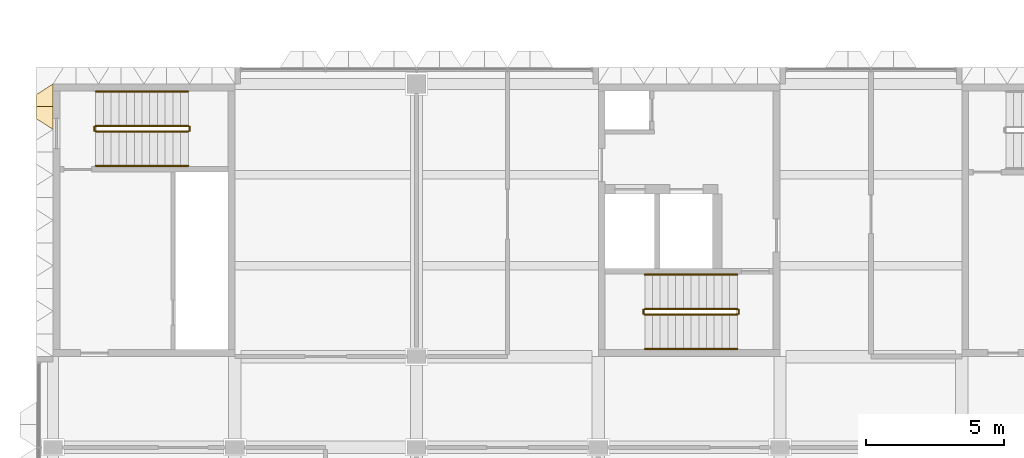
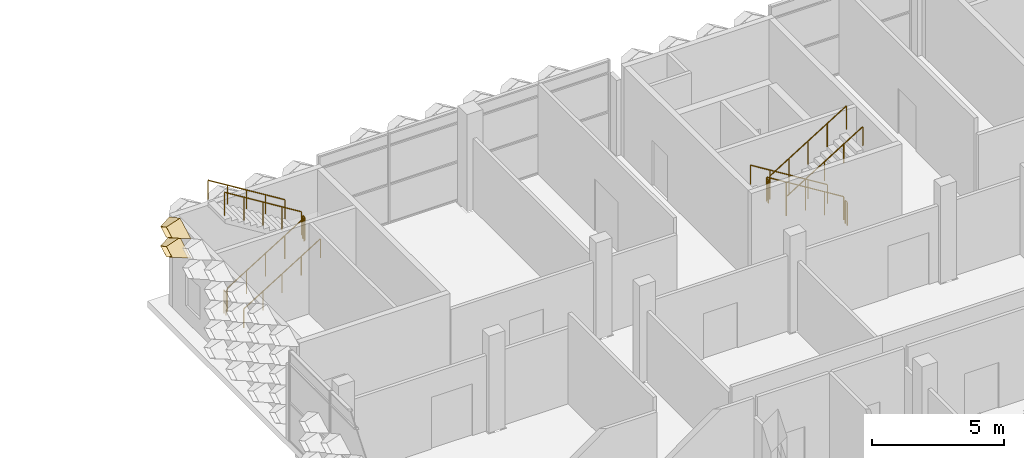
# One storey, part 66 of 109: 12 railings, 2 coverings.
"""IFC4 building model written with IfcOpenShell, lengths in metres."""

from ifc_helpers import new_model, entity, si_unit, direction, frame, origin, origin_2d, place, context, subcontext, project, spatial, circle, extrude, material, layer, layer_set, type_object, element, save


model = new_model("IFC4")

# Units and contexts
model_context = context("Model", 3, precision=1e-05, world=origin(), true_north=direction((0.0, 1.0)))
body_context = subcontext(model_context, "Body", "Model", "MODEL_VIEW")
ifc_project = project(units=[si_unit("LENGTHUNIT", "METRE"), si_unit("AREAUNIT", "SQUARE_METRE"), si_unit("VOLUMEUNIT", "CUBIC_METRE"), si_unit("PLANEANGLEUNIT", "RADIAN"), si_unit("MASSUNIT", "GRAM", prefix="KILO")], contexts=[model_context])

# Site, building, storey
site_placement = place(None, origin())
site = spatial("IfcSite", under=ifc_project, at=site_placement, CompositionType="ELEMENT")
building_placement = place(site_placement, origin())
building = spatial("IfcBuilding", under=site, at=building_placement, Name="Lantern Court Research Institute", CompositionType="ELEMENT")
storey_placement = place(building_placement, frame((0.0, 0.0, 14.39990234375)))
storey = spatial("IfcBuildingStorey", under=building, at=storey_placement, Name="L03", CompositionType="ELEMENT", Elevation=14.39990234375)

# Coverings
ifc_material_1 = material(Name="Anodised aluminium", Category="aluminium")
ifc_layer = layer(ifc_material_1, 0.01611328125)
ifc_layer_set = layer_set([ifc_layer], Name="Anodised aluminium")
covering_type = type_object("IfcCoveringType", Name="Fin cassette 1650 x 900 x 600 aluminium", PredefinedType="CLADDING", material=ifc_layer_set)
covering_1_placement = place(storey_placement, frame((0.0, 22.27490234375, 3.150146484375), z_axis=(-1.0, 0.0, 0.0), x_axis=(0.0, -1.0, 0.0)))
cartesian_point_1 = entity("IfcCartesianPoint", [0.824951171875, 0.0])
cartesian_point_2 = entity("IfcCartesianPoint", [0.79150390625, 0.0])
cartesian_point_3 = entity("IfcCartesianPoint", [0.44189453125, 0.0])
cartesian_point_4 = entity("IfcCartesianPoint", [0.43359375, 0.0])
element("IfcCovering", 1, at=covering_1_placement, inside=storey, type_object=covering_type, Name="Fin cassette V4W-L03 4.14", PredefinedType="CLADDING", context=body_context, shape_type="SweptSolid", body=[
    entity("IfcExtrudedAreaSolidTapered", entity("IfcArbitraryProfileDefWithVoids", "AREA", None, entity("IfcPolyline", [cartesian_point_1, entity("IfcCartesianPoint", [0.0, 0.449951171875]), entity("IfcCartesianPoint", [-0.824951171875, 0.0]), entity("IfcCartesianPoint", [0.0, -0.449951171875]), cartesian_point_1]), [entity("IfcPolyline", [cartesian_point_2, entity("IfcCartesianPoint", [0.0, 0.431884765625]), entity("IfcCartesianPoint", [-0.79150390625, 0.0]), entity("IfcCartesianPoint", [0.0, -0.431884765625]), cartesian_point_2])]), entity("IfcAxis2Placement3D", entity("IfcCartesianPoint", [0.0, 0.0, 0.0])), entity("IfcDirection", [0.0, 0.0, 1.0]), 0.60009765625, entity("IfcArbitraryProfileDefWithVoids", "AREA", None, entity("IfcPolyline", [cartesian_point_3, entity("IfcCartesianPoint", [0.0, 0.240966796875]), entity("IfcCartesianPoint", [-0.44189453125, 0.0]), entity("IfcCartesianPoint", [0.0, -0.240966796875]), cartesian_point_3]), [entity("IfcPolyline", [cartesian_point_4, entity("IfcCartesianPoint", [0.0, 0.236572265625]), entity("IfcCartesianPoint", [-0.43359375, 0.0]), entity("IfcCartesianPoint", [0.0, -0.236572265625]), cartesian_point_4])])),
])
covering_2_placement = place(storey_placement, frame((0.0, 22.27490234375, 4.050048828125), z_axis=(-1.0, 0.0, 0.0), x_axis=(0.0, -1.0, 0.0)))
cartesian_point_5 = entity("IfcCartesianPoint", [0.824951171875, 0.0])
cartesian_point_6 = entity("IfcCartesianPoint", [0.79150390625, 0.0])
cartesian_point_7 = entity("IfcCartesianPoint", [0.44189453125, 0.0])
cartesian_point_8 = entity("IfcCartesianPoint", [0.43359375, 0.0])
element("IfcCovering", 2, at=covering_2_placement, inside=storey, type_object=covering_type, Name="Fin cassette V4W-L03 5.14", PredefinedType="CLADDING", context=body_context, shape_type="SweptSolid", body=[
    entity("IfcExtrudedAreaSolidTapered", entity("IfcArbitraryProfileDefWithVoids", "AREA", None, entity("IfcPolyline", [cartesian_point_5, entity("IfcCartesianPoint", [0.0, 0.449951171875]), entity("IfcCartesianPoint", [-0.824951171875, 0.0]), entity("IfcCartesianPoint", [0.0, -0.449951171875]), cartesian_point_5]), [entity("IfcPolyline", [cartesian_point_6, entity("IfcCartesianPoint", [0.0, 0.431884765625]), entity("IfcCartesianPoint", [-0.79150390625, 0.0]), entity("IfcCartesianPoint", [0.0, -0.431884765625]), cartesian_point_6])]), entity("IfcAxis2Placement3D", entity("IfcCartesianPoint", [0.0, 0.0, 0.0])), entity("IfcDirection", [0.0, 0.0, 1.0]), 0.60009765625, entity("IfcArbitraryProfileDefWithVoids", "AREA", None, entity("IfcPolyline", [cartesian_point_7, entity("IfcCartesianPoint", [0.0, 0.240966796875]), entity("IfcCartesianPoint", [-0.44189453125, 0.0]), entity("IfcCartesianPoint", [0.0, -0.240966796875]), cartesian_point_7]), [entity("IfcPolyline", [cartesian_point_8, entity("IfcCartesianPoint", [0.0, 0.236572265625]), entity("IfcCartesianPoint", [-0.43359375, 0.0]), entity("IfcCartesianPoint", [0.0, -0.236572265625]), cartesian_point_8])])),
])

# Railings
ifc_material_2 = material(Name="Structural steel S355", Category="steel")
railing_type_1 = type_object("IfcRailingType", Name="Stair guard 1100 steel", PredefinedType="GUARDRAIL", material=ifc_material_2)
railing_1_placement = place(storey_placement, frame((1.550048828125, 21.375, 0.173095703125)))
element("IfcRailing", 3, at=railing_1_placement, inside=storey, type_object=railing_type_1, Name="L03 ST-B1 stair guard 1", PredefinedType="GUARDRAIL", context=body_context, shape_type="SweptSolid", body=[
    extrude(circle(Radius=0.02392578125, at=origin_2d()), frame((0.0, 0.0, 1.076171875), z_axis=(0.850606129759, 0.0, 0.525803396734), x_axis=(0.0, 1.0, 0.0)), (0.0, 0.0, 1.0), 3.949951171875),
    extrude(circle(Radius=0.02099609375, at=origin_2d()), origin(), (0.0, 0.0, 1.0), 1.052001953125),
    extrude(circle(Radius=0.02099609375, at=origin_2d()), frame((0.83984375, 0.0, 0.519287109375)), (0.0, 0.0, 1.0), 1.052001953125),
    extrude(circle(Radius=0.02099609375, at=origin_2d()), frame((1.679931640625, 0.0, 1.03857421875)), (0.0, 0.0, 1.0), 1.052001953125),
    extrude(circle(Radius=0.02099609375, at=origin_2d()), frame((2.52001953125, 0.0, 1.5576171875)), (0.0, 0.0, 1.0), 1.052001953125),
    extrude(circle(Radius=0.02099609375, at=origin_2d()), frame((3.35986328125, 0.0, 2.076904296875)), (0.0, 0.0, 1.0), 1.052001953125),
])
railing_2_placement = place(storey_placement, frame((4.9599609375, 21.39990234375, 2.25)))
element("IfcRailing", 4, at=railing_2_placement, inside=storey, type_object=railing_type_1, Name="L03 ST-B1 stair guard 2", PredefinedType="GUARDRAIL", context=body_context, shape_type="SweptSolid", body=[
    extrude(circle(Radius=0.02392578125, at=origin_2d()), frame((0.0, 0.0, 1.076171875), z_axis=(0.0, 1.0, 0.0), x_axis=(-1.0, 0.0, 0.0)), (0.0, 0.0, 1.0), 0.150146484375),
    extrude(circle(Radius=0.02099609375, at=origin_2d()), origin(), (0.0, 0.0, 1.0), 1.052001953125),
    extrude(circle(Radius=0.02099609375, at=origin_2d()), frame((0.0, 0.150146484375, 0.0)), (0.0, 0.0, 1.0), 1.052001953125),
])
railing_3_placement = place(storey_placement, frame((4.909912109375, 21.574951171875, 2.423095703125)))
element("IfcRailing", 5, at=railing_3_placement, inside=storey, type_object=railing_type_1, Name="L03 ST-B1 stair guard 3", PredefinedType="GUARDRAIL", context=body_context, shape_type="SweptSolid", body=[
    extrude(circle(Radius=0.02392578125, at=origin_2d()), frame((0.0, 0.0, 1.076171875), z_axis=(-0.850606129759, 0.0, 0.525803396734), x_axis=(0.0, -1.0, 0.0)), (0.0, 0.0, 1.0), 3.949951171875),
    extrude(circle(Radius=0.02099609375, at=origin_2d()), origin(), (0.0, 0.0, 1.0), 1.052001953125),
    extrude(circle(Radius=0.02099609375, at=origin_2d()), frame((-0.83984375, 0.0, 0.519287109375)), (0.0, 0.0, 1.0), 1.052001953125),
    extrude(circle(Radius=0.02099609375, at=origin_2d()), frame((-1.679931640625, 0.0, 1.03857421875)), (0.0, 0.0, 1.0), 1.052001953125),
    extrude(circle(Radius=0.02099609375, at=origin_2d()), frame((-2.52001953125, 0.0, 1.5576171875)), (0.0, 0.0, 1.0), 1.052001953125),
    extrude(circle(Radius=0.02099609375, at=origin_2d()), frame((-3.35986328125, 0.0, 2.076904296875)), (0.0, 0.0, 1.0), 1.052001953125),
])
railing_4_placement = place(storey_placement, frame((1.5, 21.39990234375, 0.0)))
element("IfcRailing", 6, at=railing_4_placement, inside=storey, type_object=railing_type_1, Name="L03 ST-B1 stair guard 4", PredefinedType="GUARDRAIL", context=body_context, shape_type="SweptSolid", body=[
    extrude(circle(Radius=0.02392578125, at=origin_2d()), frame((0.0, 0.0, 1.076171875), z_axis=(0.0, 1.0, 0.0), x_axis=(-1.0, 0.0, 0.0)), (0.0, 0.0, 1.0), 0.150146484375),
    extrude(circle(Radius=0.02099609375, at=origin_2d()), origin(), (0.0, 0.0, 1.0), 1.052001953125),
    extrude(circle(Radius=0.02099609375, at=origin_2d()), frame((0.0, 0.150146484375, 0.0)), (0.0, 0.0, 1.0), 1.052001953125),
])
railing_5_placement = place(storey_placement, frame((24.85009765625, 14.925048828125, 0.173095703125)))
element("IfcRailing", 7, at=railing_5_placement, inside=storey, type_object=railing_type_1, Name="L03 ST-B2 stair guard 1", PredefinedType="GUARDRAIL", context=body_context, shape_type="SweptSolid", body=[
    extrude(circle(Radius=0.02392578125, at=origin_2d()), frame((0.0, 0.0, 1.076171875), z_axis=(-0.850623216509, 0.0, 0.525775754039), x_axis=(0.0, -1.0, 0.0)), (0.0, 0.0, 1.0), 3.9501953125),
    extrude(circle(Radius=0.02099609375, at=origin_2d()), origin(), (0.0, 0.0, 1.0), 1.052001953125),
    extrude(circle(Radius=0.02099609375, at=origin_2d()), frame((-0.840087890625, 0.0, 0.519287109375)), (0.0, 0.0, 1.0), 1.052001953125),
    extrude(circle(Radius=0.02099609375, at=origin_2d()), frame((-1.68017578125, 0.0, 1.03857421875)), (0.0, 0.0, 1.0), 1.052001953125),
    extrude(circle(Radius=0.02099609375, at=origin_2d()), frame((-2.52001953125, 0.0, 1.5576171875)), (0.0, 0.0, 1.0), 1.052001953125),
    extrude(circle(Radius=0.02099609375, at=origin_2d()), frame((-3.360107421875, 0.0, 2.076904296875)), (0.0, 0.0, 1.0), 1.052001953125),
])
railing_6_placement = place(storey_placement, frame((21.43994140625, 14.89990234375, 2.25)))
element("IfcRailing", 8, at=railing_6_placement, inside=storey, type_object=railing_type_1, Name="L03 ST-B2 stair guard 2", PredefinedType="GUARDRAIL", context=body_context, shape_type="SweptSolid", body=[
    extrude(circle(Radius=0.02392578125, at=origin_2d()), frame((0.0, 0.0, 1.076171875), z_axis=(0.0, -1.0, 0.0), x_axis=(1.0, 0.0, 0.0)), (0.0, 0.0, 1.0), 0.14990234375),
    extrude(circle(Radius=0.02099609375, at=origin_2d()), origin(), (0.0, 0.0, 1.0), 1.052001953125),
    extrude(circle(Radius=0.02099609375, at=origin_2d()), frame((0.0, -0.14990234375, 0.0)), (0.0, 0.0, 1.0), 1.052001953125),
])
railing_7_placement = place(storey_placement, frame((21.489990234375, 14.72509765625, 2.423095703125)))
element("IfcRailing", 9, at=railing_7_placement, inside=storey, type_object=railing_type_1, Name="L03 ST-B2 stair guard 3", PredefinedType="GUARDRAIL", context=body_context, shape_type="SweptSolid", body=[
    extrude(circle(Radius=0.02392578125, at=origin_2d()), frame((0.0, 0.0, 1.076171875), z_axis=(0.850623216509, 0.0, 0.525775754039), x_axis=(0.0, 1.0, 0.0)), (0.0, 0.0, 1.0), 3.9501953125),
    extrude(circle(Radius=0.02099609375, at=origin_2d()), origin(), (0.0, 0.0, 1.0), 1.052001953125),
    extrude(circle(Radius=0.02099609375, at=origin_2d()), frame((0.840087890625, 0.0, 0.519287109375)), (0.0, 0.0, 1.0), 1.052001953125),
    extrude(circle(Radius=0.02099609375, at=origin_2d()), frame((1.68017578125, 0.0, 1.03857421875)), (0.0, 0.0, 1.0), 1.052001953125),
    extrude(circle(Radius=0.02099609375, at=origin_2d()), frame((2.52001953125, 0.0, 1.5576171875)), (0.0, 0.0, 1.0), 1.052001953125),
    extrude(circle(Radius=0.02099609375, at=origin_2d()), frame((3.360107421875, 0.0, 2.076904296875)), (0.0, 0.0, 1.0), 1.052001953125),
])
railing_8_placement = place(storey_placement, frame((24.89990234375, 14.89990234375, 0.0)))
element("IfcRailing", 10, at=railing_8_placement, inside=storey, type_object=railing_type_1, Name="L03 ST-B2 stair guard 4", PredefinedType="GUARDRAIL", context=body_context, shape_type="SweptSolid", body=[
    extrude(circle(Radius=0.02392578125, at=origin_2d()), frame((0.0, 0.0, 1.076171875), z_axis=(0.0, -1.0, 0.0), x_axis=(1.0, 0.0, 0.0)), (0.0, 0.0, 1.0), 0.14990234375),
    extrude(circle(Radius=0.02099609375, at=origin_2d()), origin(), (0.0, 0.0, 1.0), 1.052001953125),
    extrude(circle(Radius=0.02099609375, at=origin_2d()), frame((0.0, -0.14990234375, 0.0)), (0.0, 0.0, 1.0), 1.052001953125),
])
ifc_material_3 = material(Name="Stainless steel 316", Category="steel")
railing_type_2 = type_object("IfcRailingType", Name="Stair handrail 900 steel", PredefinedType="HANDRAIL", material=ifc_material_3)
railing_9_placement = place(storey_placement, frame((1.550048828125, 20.125, 0.173095703125)))
element("IfcRailing", 11, at=railing_9_placement, inside=storey, type_object=railing_type_2, Name="L03 ST-B1 stair handrail 1", PredefinedType="HANDRAIL", context=body_context, shape_type="SweptSolid", body=[
    extrude(circle(Radius=0.02392578125, at=origin_2d()), frame((0.0, 0.0, 0.8759765625), z_axis=(0.850606129759, 0.0, 0.525803396734), x_axis=(0.0, 1.0, 0.0)), (0.0, 0.0, 1.0), 3.949951171875),
    extrude(circle(Radius=0.02099609375, at=origin_2d()), origin(), (0.0, 0.0, 1.0), 0.851806640625),
    extrude(circle(Radius=0.02099609375, at=origin_2d()), frame((0.83984375, 0.0, 0.519287109375)), (0.0, 0.0, 1.0), 0.851806640625),
    extrude(circle(Radius=0.02099609375, at=origin_2d()), frame((1.679931640625, 0.0, 1.03857421875)), (0.0, 0.0, 1.0), 0.851806640625),
    extrude(circle(Radius=0.02099609375, at=origin_2d()), frame((2.52001953125, 0.0, 1.5576171875)), (0.0, 0.0, 1.0), 0.851806640625),
    extrude(circle(Radius=0.02099609375, at=origin_2d()), frame((3.35986328125, 0.0, 2.076904296875)), (0.0, 0.0, 1.0), 0.851806640625),
])
railing_10_placement = place(storey_placement, frame((4.909912109375, 22.824951171875, 2.423095703125)))
element("IfcRailing", 12, at=railing_10_placement, inside=storey, type_object=railing_type_2, Name="L03 ST-B1 stair handrail 2", PredefinedType="HANDRAIL", context=body_context, shape_type="SweptSolid", body=[
    extrude(circle(Radius=0.02392578125, at=origin_2d()), frame((0.0, 0.0, 0.8759765625), z_axis=(-0.850606129759, 0.0, 0.525803396734), x_axis=(0.0, -1.0, 0.0)), (0.0, 0.0, 1.0), 3.949951171875),
    extrude(circle(Radius=0.02099609375, at=origin_2d()), origin(), (0.0, 0.0, 1.0), 0.851806640625),
    extrude(circle(Radius=0.02099609375, at=origin_2d()), frame((-0.83984375, 0.0, 0.519287109375)), (0.0, 0.0, 1.0), 0.851806640625),
    extrude(circle(Radius=0.02099609375, at=origin_2d()), frame((-1.679931640625, 0.0, 1.03857421875)), (0.0, 0.0, 1.0), 0.851806640625),
    extrude(circle(Radius=0.02099609375, at=origin_2d()), frame((-2.52001953125, 0.0, 1.5576171875)), (0.0, 0.0, 1.0), 0.851806640625),
    extrude(circle(Radius=0.02099609375, at=origin_2d()), frame((-3.35986328125, 0.0, 2.076904296875)), (0.0, 0.0, 1.0), 0.851806640625),
])
railing_11_placement = place(storey_placement, frame((24.85009765625, 16.175048828125, 0.173095703125)))
element("IfcRailing", 13, at=railing_11_placement, inside=storey, type_object=railing_type_2, Name="L03 ST-B2 stair handrail 1", PredefinedType="HANDRAIL", context=body_context, shape_type="SweptSolid", body=[
    extrude(circle(Radius=0.02392578125, at=origin_2d()), frame((0.0, 0.0, 0.8759765625), z_axis=(-0.850623216509, 0.0, 0.525775754039), x_axis=(0.0, -1.0, 0.0)), (0.0, 0.0, 1.0), 3.9501953125),
    extrude(circle(Radius=0.02099609375, at=origin_2d()), origin(), (0.0, 0.0, 1.0), 0.851806640625),
    extrude(circle(Radius=0.02099609375, at=origin_2d()), frame((-0.840087890625, 0.0, 0.519287109375)), (0.0, 0.0, 1.0), 0.851806640625),
    extrude(circle(Radius=0.02099609375, at=origin_2d()), frame((-1.68017578125, 0.0, 1.03857421875)), (0.0, 0.0, 1.0), 0.851806640625),
    extrude(circle(Radius=0.02099609375, at=origin_2d()), frame((-2.52001953125, 0.0, 1.5576171875)), (0.0, 0.0, 1.0), 0.851806640625),
    extrude(circle(Radius=0.02099609375, at=origin_2d()), frame((-3.360107421875, 0.0, 2.076904296875)), (0.0, 0.0, 1.0), 0.851806640625),
])
railing_12_placement = place(storey_placement, frame((21.489990234375, 13.47509765625, 2.423095703125)))
element("IfcRailing", 14, at=railing_12_placement, inside=storey, type_object=railing_type_2, Name="L03 ST-B2 stair handrail 2", PredefinedType="HANDRAIL", context=body_context, shape_type="SweptSolid", body=[
    extrude(circle(Radius=0.02392578125, at=origin_2d()), frame((0.0, 0.0, 0.8759765625), z_axis=(0.850623216509, 0.0, 0.525775754039), x_axis=(0.0, 1.0, 0.0)), (0.0, 0.0, 1.0), 3.9501953125),
    extrude(circle(Radius=0.02099609375, at=origin_2d()), origin(), (0.0, 0.0, 1.0), 0.851806640625),
    extrude(circle(Radius=0.02099609375, at=origin_2d()), frame((0.840087890625, 0.0, 0.519287109375)), (0.0, 0.0, 1.0), 0.851806640625),
    extrude(circle(Radius=0.02099609375, at=origin_2d()), frame((1.68017578125, 0.0, 1.03857421875)), (0.0, 0.0, 1.0), 0.851806640625),
    extrude(circle(Radius=0.02099609375, at=origin_2d()), frame((2.52001953125, 0.0, 1.5576171875)), (0.0, 0.0, 1.0), 0.851806640625),
    extrude(circle(Radius=0.02099609375, at=origin_2d()), frame((3.360107421875, 0.0, 2.076904296875)), (0.0, 0.0, 1.0), 0.851806640625),
])

save(model, "model.ifc")
